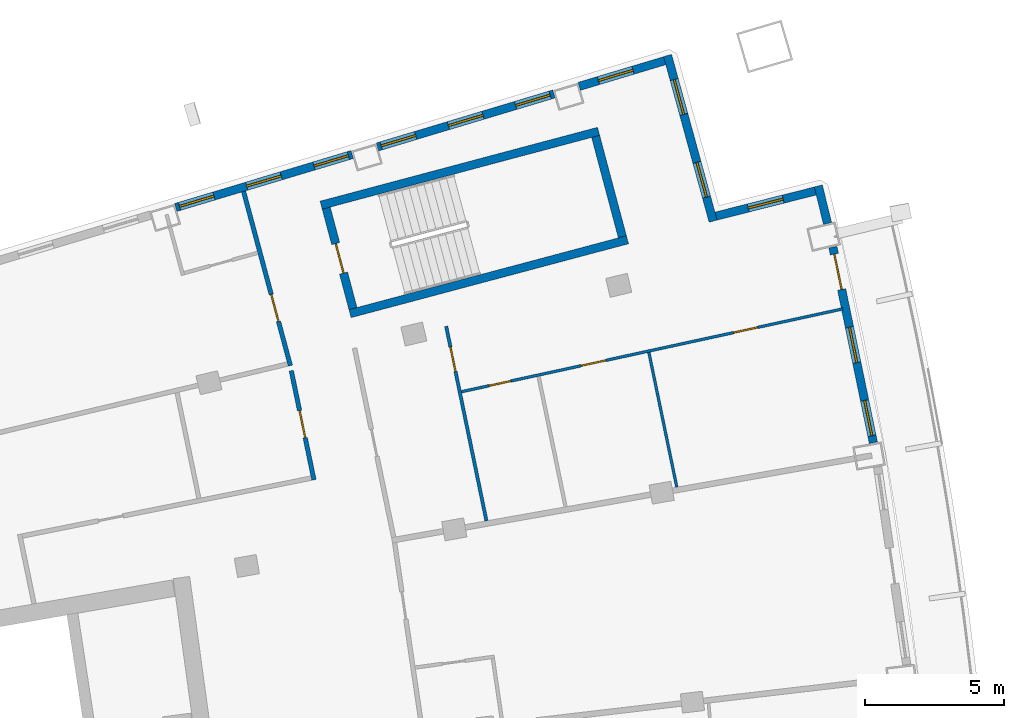
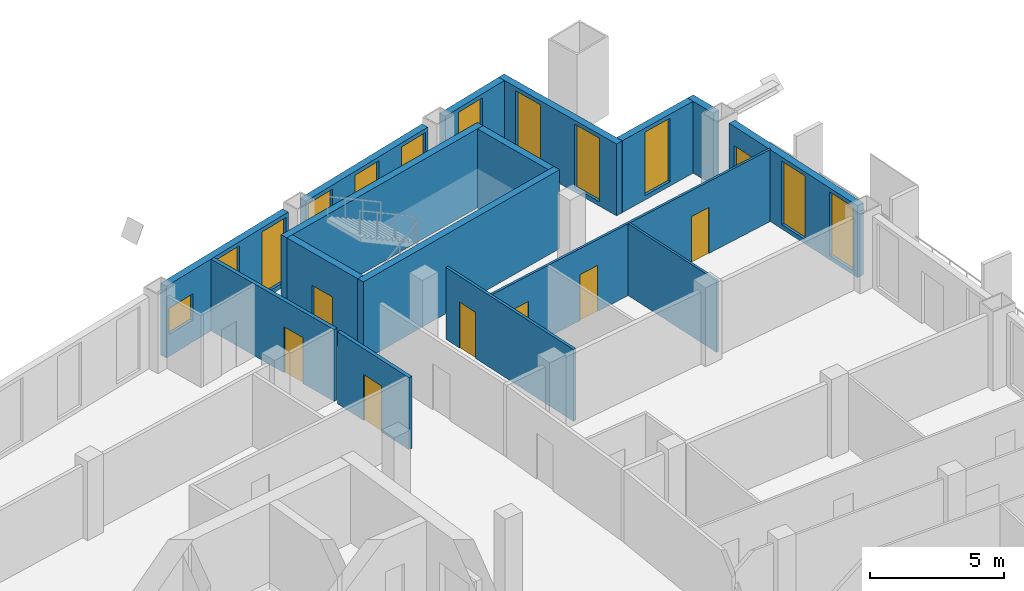
# One storey, part 15 of 19: 16 walls, 12 windows, 8 doors, 20 openings.
"""IFC4 building model written with IfcOpenShell, lengths in metres."""

from ifc_helpers import new_model, si_unit, direction, frame, frame_2d, origin, place, context, subcontext, project, spatial, rectangle, extrude, material, layer, layer_set, type_object, element, fill, save


model = new_model("IFC4")

# Units and contexts
model_context = context("Model", 3, precision=1e-05, world=origin(), true_north=direction((0.0, 1.0)))
body_context = subcontext(model_context, "Body", "Model", "MODEL_VIEW")
ifc_project = project(units=[si_unit("LENGTHUNIT", "METRE"), si_unit("AREAUNIT", "SQUARE_METRE"), si_unit("VOLUMEUNIT", "CUBIC_METRE"), si_unit("PLANEANGLEUNIT", "RADIAN"), si_unit("MASSUNIT", "GRAM", prefix="KILO")], contexts=[model_context])

# Site, building, storey
site_placement = place(None, origin())
site = spatial("IfcSite", under=ifc_project, at=site_placement, CompositionType="ELEMENT")
building_placement = place(site_placement, origin())
building = spatial("IfcBuilding", under=site, at=building_placement, Name="Alderwake Tower", CompositionType="ELEMENT")
storey_placement = place(building_placement, frame((0.0, 0.0, 196.39990234375)))
storey = spatial("IfcBuildingStorey", under=building, at=storey_placement, Name="L48", CompositionType="ELEMENT", Elevation=196.39990234375)

# Walls
ifc_material_1 = material(Name="Concrete C70/85", Category="concrete")
ifc_layer_1 = layer(ifc_material_1, 0.300048828125)
ifc_layer_set_1 = layer_set([ifc_layer_1], Name="Core wall stair enclosure 300 C70-85")
wall_type_1 = type_object("IfcWallType", Name="Core wall stair enclosure 300 C70-85", PredefinedType="SHEAR", material=ifc_layer_set_1)
for number, where, z_axis, x_axis, name in (
    (1, (36.71142578125, 94.182373046875, 0.0), (0.0, 0.0, 1.0), (0.966309214305, 0.257383958996, 0.0), "Core wall CW.082"),
    (2, (37.75390625, 90.268798828125, 0.0), (0.0, 0.0, 1.0), (0.966309214305, 0.257383958996, 0.0), "Core wall CW.084"),
):
    element("IfcWall", number, at=place(storey_placement, frame(where, z_axis=z_axis, x_axis=x_axis)), inside=storey, type_object=wall_type_1, Name=name, PredefinedType="SHEAR", context=body_context, shape_type="SweptSolid", body=[
        extrude(rectangle(XDim=10.360107421875, YDim=0.300048828125, at=frame_2d((5.18017578125, 0.0))), origin(), (0.0, 0.0, 1.0), 3.60009765625),
    ])

# Wall, opening, door
wall_1_placement = place(storey_placement, frame((37.8603515625, 90.452392578125, 0.0), z_axis=(0.0, 0.0, 1.0), x_axis=(-0.257411420208, 0.966301899381, 0.0)))
wall_1 = element("IfcWall", 3, at=wall_1_placement, inside=storey, type_object=wall_type_1, Name="Core wall CW.083", PredefinedType="SHEAR", context=body_context, shape_type="SweptSolid", body=[
    extrude(rectangle(XDim=3.750244140625, YDim=0.300048828125, at=frame_2d((1.875, 0.0))), origin(), (0.0, 0.0, 1.0), 3.60009765625),
])
opening_1_placement = place(wall_1_placement, frame((1.324951171875, 0.0, 0.0)))
opening_1 = element("IfcOpeningElement", 4, at=opening_1_placement, cuts=wall_1, Name="Opening C062", PredefinedType="OPENING", context=body_context, shape_type="SweptSolid", body=[
    extrude(rectangle(XDim=1.10009765625, YDim=2.10009765625, at=frame_2d((0.550048828125, 1.050048828125))), frame((0.0, 0.159912109375, 0.0), z_axis=(0.0, -1.0, 0.0), x_axis=(1.0, 0.0, 0.0)), (0.0, 0.0, 1.0), 0.320068359375),
])
ifc_material_2 = material(Name="Steel-framed fire door leaf", Category="steel")
door_type_1 = type_object("IfcDoorType", Name="Core stair door 1100 fire-rated", OperationType="SINGLE_SWING_LEFT", PredefinedType="DOOR", material=ifc_material_2)
door_1_placement = place(opening_1_placement, origin())
door_1 = element("IfcDoor", 5, at=door_1_placement, inside=storey, type_object=door_type_1, Name="Stair door", OperationType="SINGLE_SWING_LEFT", OverallHeight=2.10009765625, OverallWidth=1.10009765625, PredefinedType="DOOR", context=body_context, shape_type="SweptSolid", body=[
    extrude(rectangle(XDim=1.10009765625, YDim=2.10009765625, at=frame_2d((0.550048828125, 1.050048828125))), frame((0.0, 0.02490234375, 0.0), z_axis=(0.0, -1.0, 0.0), x_axis=(1.0, 0.0, 0.0)), (0.0, 0.0, 1.0), 0.050048828125),
])
fill(opening_1, door_1)

# Wall
wall_2_placement = place(storey_placement, frame((47.581298828125, 93.041748046875, 0.0), z_axis=(0.0, 0.0, 1.0), x_axis=(-0.257366821694, 0.966313778796, 0.0)))
element("IfcWall", 6, at=wall_2_placement, inside=storey, type_object=wall_type_1, Name="Core wall CW.081", PredefinedType="SHEAR", context=body_context, shape_type="SweptSolid", body=[
    extrude(rectangle(XDim=3.749755859375, YDim=0.300048828125, at=frame_2d((1.875, 0.0))), origin(), (0.0, 0.0, 1.0), 3.60009765625),
])

# Wall, opening, door
ifc_material_3 = material(Name="Gypsum board on metal studs, rated")
ifc_layer_2 = layer(ifc_material_3, 0.159912109375)
ifc_layer_set_2 = layer_set([ifc_layer_2], Name="Corridor wall 160")
wall_type_2 = type_object("IfcWallType", Name="Corridor wall 160", PredefinedType="PARTITIONING", material=ifc_layer_set_2)
wall_3_placement = place(storey_placement, frame((35.600830078125, 88.392578125, 0.0), z_axis=(0.0, 0.0, 1.0), x_axis=(-0.259509260101, 0.965740619381, 0.0)))
wall_3 = element("IfcWall", 7, at=wall_3_placement, inside=storey, type_object=wall_type_2, Name="WL/L48/W14", PredefinedType="PARTITIONING", context=body_context, shape_type="SweptSolid", body=[
    extrude(rectangle(XDim=6.50732421875, YDim=0.159912109375, at=frame_2d((3.253662109375, 0.0))), origin(), (0.0, 0.0, 1.0), 3.280029296875),
])
opening_2_placement = place(wall_3_placement, frame((1.65771484375, 0.0, 0.0)))
opening_2 = element("IfcOpeningElement", 8, at=opening_2_placement, cuts=wall_3, Name="Opening R13-U09.1", PredefinedType="OPENING", context=body_context, shape_type="SweptSolid", body=[
    extrude(rectangle(XDim=1.0, YDim=2.10009765625, at=frame_2d((0.5, 1.050048828125))), frame((0.0, 0.08984375, 0.0), z_axis=(0.0, -1.0, 0.0), x_axis=(1.0, 0.0, 0.0)), (0.0, 0.0, 1.0), 0.179931640625),
])
ifc_material_4 = material(Name="Solid timber leaf in steel frame", Category="steel")
door_type_2 = type_object("IfcDoorType", Name="Flat entrance door 1000 fire-rated", OperationType="SINGLE_SWING_LEFT", PredefinedType="DOOR", material=ifc_material_4)
door_2_placement = place(opening_2_placement, origin())
door_2 = element("IfcDoor", 9, at=door_2_placement, inside=storey, type_object=door_type_2, Name="DR/L48/U09.1", OperationType="SINGLE_SWING_LEFT", OverallHeight=2.10009765625, OverallWidth=1.0, PredefinedType="DOOR", context=body_context, shape_type="SweptSolid", body=[
    extrude(rectangle(XDim=1.0, YDim=2.10009765625, at=frame_2d((0.5, 1.050048828125))), frame((0.0, 0.02490234375, 0.0), z_axis=(0.0, -1.0, 0.0), x_axis=(1.0, 0.0, 0.0)), (0.0, 0.0, 1.0), 0.050048828125),
])
fill(opening_2, door_2)

wall_4_placement = place(storey_placement, frame((36.451416015625, 84.272705078125, 0.0), z_axis=(0.0, 0.0, 1.0), x_axis=(-0.203258199701, 0.979125172924, 0.0)))
wall_4 = element("IfcWall", 10, at=wall_4_placement, inside=storey, type_object=wall_type_2, Name="WL/L48/W17", PredefinedType="PARTITIONING", context=body_context, shape_type="SweptSolid", body=[
    extrude(rectangle(XDim=4.020263671875, YDim=0.159912109375, at=frame_2d((2.01025390625, 0.0))), origin(), (0.0, 0.0, 1.0), 3.280029296875),
])
opening_3_placement = place(wall_4_placement, frame((1.549560546875, 0.0, 0.0)))
opening_3 = element("IfcOpeningElement", 11, at=opening_3_placement, cuts=wall_4, Name="Opening R13-SBN2", PredefinedType="OPENING", context=body_context, shape_type="SweptSolid", body=[
    extrude(rectangle(XDim=1.0, YDim=2.10009765625, at=frame_2d((0.5, 1.050048828125))), frame((0.0, 0.08984375, 0.0), z_axis=(0.0, -1.0, 0.0), x_axis=(1.0, 0.0, 0.0)), (0.0, 0.0, 1.0), 0.179931640625),
])
ifc_material_5 = material(Name="Steel-framed fire door leaf", Category="steel")
door_type_3 = type_object("IfcDoorType", Name="Plant room door 1000 fire-rated", OperationType="SINGLE_SWING_LEFT", PredefinedType="DOOR", material=ifc_material_5)
door_3_placement = place(opening_3_placement, origin())
door_3 = element("IfcDoor", 12, at=door_3_placement, inside=storey, type_object=door_type_3, Name="DR/L48/SBN2", OperationType="SINGLE_SWING_LEFT", OverallHeight=2.10009765625, OverallWidth=1.0, PredefinedType="DOOR", context=body_context, shape_type="SweptSolid", body=[
    extrude(rectangle(XDim=1.0, YDim=2.10009765625, at=frame_2d((0.5, 1.050048828125))), frame((0.0, 0.02490234375, 0.0), z_axis=(0.0, -1.0, 0.0), x_axis=(1.0, 0.0, 0.0)), (0.0, 0.0, 1.0), 0.050048828125),
])
fill(opening_3, door_3)

# Wall, openings, door, windows
ifc_material_6 = material(Name="Precast concrete C50/60 spandrel panel", Category="concrete")
ifc_layer_3 = layer(ifc_material_6, 0.300048828125)
ifc_layer_set_3 = layer_set([ifc_layer_3], Name="External wall EW1 Precast concrete C50/60 spandrel")
wall_type_3 = type_object("IfcWallType", Name="External wall EW1 Precast concrete C50/60 spandrel", PredefinedType="SOLIDWALL", material=ifc_layer_set_3)
wall_5_placement = place(storey_placement, frame((56.638427734375, 85.613037109375, 0.0), z_axis=(0.0, 0.0, 1.0), x_axis=(-0.202740086823, 0.979232585852, 0.0)))
wall_5 = element("IfcWall", 13, at=wall_5_placement, inside=storey, type_object=wall_type_3, Name="External wall 19", PredefinedType="SOLIDWALL", context=body_context, shape_type="SweptSolid", body=[
    extrude(rectangle(XDim=7.20361328125, YDim=0.300048828125, at=frame_2d((3.601806640625, 0.0))), origin(), (0.0, 0.0, 1.0), 3.280029296875),
])
opening_4_placement = place(wall_5_placement, frame((0.257080078125, 0.0, 0.199951171875)))
opening_4 = element("IfcOpeningElement", 14, at=opening_4_placement, cuts=wall_5, Name="Opening W1", PredefinedType="OPENING", context=body_context, shape_type="SweptSolid", body=[
    extrude(rectangle(XDim=1.300048828125, YDim=2.89990234375, at=frame_2d((0.64990234375, 1.449951171875))), frame((0.0, 0.159912109375, 0.0), z_axis=(0.0, -1.0, 0.0), x_axis=(1.0, 0.0, 0.0)), (0.0, 0.0, 1.0), 0.320068359375),
])
opening_5_placement = place(wall_5_placement, frame((2.951904296875, 0.0, 0.199951171875)))
opening_5 = element("IfcOpeningElement", 15, at=opening_5_placement, cuts=wall_5, Name="Opening W1", PredefinedType="OPENING", context=body_context, shape_type="SweptSolid", body=[
    extrude(rectangle(XDim=1.300048828125, YDim=2.89990234375, at=frame_2d((0.64990234375, 1.449951171875))), frame((0.0, 0.159912109375, 0.0), z_axis=(0.0, -1.0, 0.0), x_axis=(1.0, 0.0, 0.0)), (0.0, 0.0, 1.0), 0.320068359375),
])
opening_6_placement = place(wall_5_placement, frame((5.646484375, 0.0, 0.0)))
opening_6 = element("IfcOpeningElement", 16, at=opening_6_placement, cuts=wall_5, Name="Opening D08", PredefinedType="OPENING", context=body_context, shape_type="SweptSolid", body=[
    extrude(rectangle(XDim=1.300048828125, YDim=2.39990234375, at=frame_2d((0.64990234375, 1.199951171875))), frame((0.0, 0.159912109375, 0.0), z_axis=(0.0, -1.0, 0.0), x_axis=(1.0, 0.0, 0.0)), (0.0, 0.0, 1.0), 0.320068359375),
])
ifc_material_7 = material(Name="Bronze tinted glass in aluminium frame", Category="aluminium")
door_type_4 = type_object("IfcDoorType", Name="Balcony door BD sliding", OperationType="SLIDING_TO_LEFT", PredefinedType="DOOR", material=ifc_material_7)
door_4_placement = place(opening_6_placement, origin())
door_4 = element("IfcDoor", 17, at=door_4_placement, inside=storey, type_object=door_type_4, Name="Door D08", OperationType="SLIDING_TO_LEFT", OverallHeight=2.39990234375, OverallWidth=1.300048828125, PredefinedType="DOOR", context=body_context, shape_type="SweptSolid", body=[
    extrude(rectangle(XDim=1.300048828125, YDim=2.39990234375, at=frame_2d((0.64990234375, 1.199951171875))), frame((0.0, 0.02490234375, 0.0), z_axis=(0.0, -1.0, 0.0), x_axis=(1.0, 0.0, 0.0)), (0.0, 0.0, 1.0), 0.050048828125),
])
fill(opening_6, door_4)
ifc_material_8 = material(Name="Bronze tinted glass in aluminium frame", Category="aluminium")
window_type_1 = type_object("IfcWindowType", Name="Window W1 tall fixed and vent", PartitioningType="DOUBLE_PANEL_VERTICAL", PredefinedType="WINDOW", material=ifc_material_8)
window_1_placement = place(opening_4_placement, origin())
window_1 = element("IfcWindow", 18, at=window_1_placement, inside=storey, type_object=window_type_1, Name="Window W1 tall fixed and vent", OverallHeight=2.89990234375, OverallWidth=1.300048828125, PartitioningType="DOUBLE_PANEL_VERTICAL", PredefinedType="WINDOW", context=body_context, shape_type="SweptSolid", body=[
    extrude(rectangle(XDim=1.300048828125, YDim=2.89990234375, at=frame_2d((0.64990234375, 1.449951171875))), frame((0.0, 0.030029296875, 0.0), z_axis=(0.0, -1.0, 0.0), x_axis=(1.0, 0.0, 0.0)), (0.0, 0.0, 1.0), 0.06005859375),
])
fill(opening_4, window_1)
window_2_placement = place(opening_5_placement, origin())
window_2 = element("IfcWindow", 19, at=window_2_placement, inside=storey, type_object=window_type_1, Name="Window W1 tall fixed and vent", OverallHeight=2.89990234375, OverallWidth=1.300048828125, PartitioningType="DOUBLE_PANEL_VERTICAL", PredefinedType="WINDOW", context=body_context, shape_type="SweptSolid", body=[
    extrude(rectangle(XDim=1.300048828125, YDim=2.89990234375, at=frame_2d((0.64990234375, 1.449951171875))), frame((0.0, 0.030029296875, 0.0), z_axis=(0.0, -1.0, 0.0), x_axis=(1.0, 0.0, 0.0)), (0.0, 0.0, 1.0), 0.06005859375),
])
fill(opening_5, window_2)

# Wall
wall_6_placement = place(storey_placement, frame((54.984619140625, 93.523193359375, 0.0), z_axis=(0.0, 0.0, 1.0), x_axis=(-0.238290079451, 0.971194026977, 0.0)))
element("IfcWall", 20, at=wall_6_placement, inside=storey, type_object=wall_type_3, Name="External wall 20", PredefinedType="SOLIDWALL", context=body_context, shape_type="SweptSolid", body=[
    extrude(rectangle(XDim=1.39453125, YDim=0.300048828125, at=frame_2d((0.697265625, 0.0))), origin(), (0.0, 0.0, 1.0), 3.280029296875),
])

# Wall, opening, window
ifc_material_9 = material(Name="Bronze metal cladding on lightweight framing")
ifc_layer_4 = layer(ifc_material_9, 0.300048828125)
ifc_layer_set_4 = layer_set([ifc_layer_4], Name="External wall EW2 bronze metal cladding")
wall_type_4 = type_object("IfcWallType", Name="External wall EW2 bronze metal cladding", PredefinedType="SOLIDWALL", material=ifc_layer_set_4)
wall_7_placement = place(storey_placement, frame((54.542724609375, 94.695068359375, 0.0), z_axis=(0.0, 0.0, 1.0), x_axis=(-0.96941119971, -0.245442306614, 0.0)))
wall_7 = element("IfcWall", 21, at=wall_7_placement, inside=storey, type_object=wall_type_4, Name="External wall 21", PredefinedType="SOLIDWALL", context=body_context, shape_type="SweptSolid", body=[
    extrude(rectangle(XDim=3.6943359375, YDim=0.300048828125, at=frame_2d((1.84716796875, 0.0))), origin(), (0.0, 0.0, 1.0), 3.280029296875),
])
opening_7_placement = place(wall_7_placement, frame((1.197021484375, 0.0, 0.199951171875)))
opening_7 = element("IfcOpeningElement", 22, at=opening_7_placement, cuts=wall_7, Name="Opening W1", PredefinedType="OPENING", context=body_context, shape_type="SweptSolid", body=[
    extrude(rectangle(XDim=1.300048828125, YDim=2.89990234375, at=frame_2d((0.64990234375, 1.449951171875))), frame((0.0, 0.159912109375, 0.0), z_axis=(0.0, -1.0, 0.0), x_axis=(1.0, 0.0, 0.0)), (0.0, 0.0, 1.0), 0.320068359375),
])
window_3_placement = place(opening_7_placement, origin())
window_3 = element("IfcWindow", 23, at=window_3_placement, inside=storey, type_object=window_type_1, Name="Window W1 tall fixed and vent", OverallHeight=2.89990234375, OverallWidth=1.300048828125, PartitioningType="DOUBLE_PANEL_VERTICAL", PredefinedType="WINDOW", context=body_context, shape_type="SweptSolid", body=[
    extrude(rectangle(XDim=1.300048828125, YDim=2.89990234375, at=frame_2d((0.64990234375, 1.449951171875))), frame((0.0, 0.030029296875, 0.0), z_axis=(0.0, -1.0, 0.0), x_axis=(1.0, 0.0, 0.0)), (0.0, 0.0, 1.0), 0.06005859375),
])
fill(opening_7, window_3)

# Wall, openings, windows
wall_8_placement = place(storey_placement, frame((50.855712890625, 93.60693359375, 0.0), z_axis=(0.0, 0.0, 1.0), x_axis=(-0.265079594789, 0.96422653377, 0.0)))
wall_8 = element("IfcWall", 24, at=wall_8_placement, inside=storey, type_object=wall_type_4, Name="External wall 22", PredefinedType="SOLIDWALL", context=body_context, shape_type="SweptSolid", body=[
    extrude(rectangle(XDim=6.19921875, YDim=0.300048828125, at=frame_2d((3.099609375, 0.0))), origin(), (0.0, 0.0, 1.0), 3.280029296875),
])
opening_8_placement = place(wall_8_placement, frame((0.89990234375, 0.0, 0.199951171875)))
opening_8 = element("IfcOpeningElement", 25, at=opening_8_placement, cuts=wall_8, Name="Opening W1", PredefinedType="OPENING", context=body_context, shape_type="SweptSolid", body=[
    extrude(rectangle(XDim=1.300048828125, YDim=2.89990234375, at=frame_2d((0.64990234375, 1.449951171875))), frame((0.0, 0.159912109375, 0.0), z_axis=(0.0, -1.0, 0.0), x_axis=(1.0, 0.0, 0.0)), (0.0, 0.0, 1.0), 0.320068359375),
])
opening_9_placement = place(wall_8_placement, frame((3.99951171875, 0.0, 0.199951171875)))
opening_9 = element("IfcOpeningElement", 26, at=opening_9_placement, cuts=wall_8, Name="Opening W1", PredefinedType="OPENING", context=body_context, shape_type="SweptSolid", body=[
    extrude(rectangle(XDim=1.300048828125, YDim=2.89990234375, at=frame_2d((0.64990234375, 1.449951171875))), frame((0.0, 0.159912109375, 0.0), z_axis=(0.0, -1.0, 0.0), x_axis=(1.0, 0.0, 0.0)), (0.0, 0.0, 1.0), 0.320068359375),
])
window_4_placement = place(opening_8_placement, origin())
window_4 = element("IfcWindow", 27, at=window_4_placement, inside=storey, type_object=window_type_1, Name="Window W1 tall fixed and vent", OverallHeight=2.89990234375, OverallWidth=1.300048828125, PartitioningType="DOUBLE_PANEL_VERTICAL", PredefinedType="WINDOW", context=body_context, shape_type="SweptSolid", body=[
    extrude(rectangle(XDim=1.300048828125, YDim=2.89990234375, at=frame_2d((0.64990234375, 1.449951171875))), frame((0.0, 0.030029296875, 0.0), z_axis=(0.0, -1.0, 0.0), x_axis=(1.0, 0.0, 0.0)), (0.0, 0.0, 1.0), 0.06005859375),
])
fill(opening_8, window_4)
window_5_placement = place(opening_9_placement, origin())
window_5 = element("IfcWindow", 28, at=window_5_placement, inside=storey, type_object=window_type_1, Name="Window W1 tall fixed and vent", OverallHeight=2.89990234375, OverallWidth=1.300048828125, PartitioningType="DOUBLE_PANEL_VERTICAL", PredefinedType="WINDOW", context=body_context, shape_type="SweptSolid", body=[
    extrude(rectangle(XDim=1.300048828125, YDim=2.89990234375, at=frame_2d((0.64990234375, 1.449951171875))), frame((0.0, 0.030029296875, 0.0), z_axis=(0.0, -1.0, 0.0), x_axis=(1.0, 0.0, 0.0)), (0.0, 0.0, 1.0), 0.06005859375),
])
fill(opening_9, window_5)

# Wall, opening, window
wall_9_placement = place(storey_placement, frame((49.1083984375, 99.396728515625, 0.0), z_axis=(0.0, 0.0, 1.0), x_axis=(-0.957765770584, -0.287549523906, 0.0)))
wall_9 = element("IfcWall", 29, at=wall_9_placement, inside=storey, type_object=wall_type_4, Name="External wall 23", PredefinedType="SOLIDWALL", context=body_context, shape_type="SweptSolid", body=[
    extrude(rectangle(XDim=3.22119140625, YDim=0.300048828125, at=frame_2d((1.610595703125, 0.0))), origin(), (0.0, 0.0, 1.0), 3.280029296875),
])
opening_10_placement = place(wall_9_placement, frame((1.198974609375, 0.0, 0.199951171875)))
opening_10 = element("IfcOpeningElement", 30, at=opening_10_placement, cuts=wall_9, Name="Opening W1", PredefinedType="OPENING", context=body_context, shape_type="SweptSolid", body=[
    extrude(rectangle(XDim=1.300048828125, YDim=2.89990234375, at=frame_2d((0.64990234375, 1.449951171875))), frame((0.0, 0.159912109375, 0.0), z_axis=(0.0, -1.0, 0.0), x_axis=(1.0, 0.0, 0.0)), (0.0, 0.0, 1.0), 0.320068359375),
])
window_6_placement = place(opening_10_placement, origin())
window_6 = element("IfcWindow", 31, at=window_6_placement, inside=storey, type_object=window_type_1, Name="Window W1 tall fixed and vent", OverallHeight=2.89990234375, OverallWidth=1.300048828125, PartitioningType="DOUBLE_PANEL_VERTICAL", PredefinedType="WINDOW", context=body_context, shape_type="SweptSolid", body=[
    extrude(rectangle(XDim=1.300048828125, YDim=2.89990234375, at=frame_2d((0.64990234375, 1.449951171875))), frame((0.0, 0.030029296875, 0.0), z_axis=(0.0, -1.0, 0.0), x_axis=(1.0, 0.0, 0.0)), (0.0, 0.0, 1.0), 0.06005859375),
])
fill(opening_10, window_6)

# Wall, openings, windows
wall_10_placement = place(storey_placement, frame((45.110107421875, 98.1962890625, 0.0), z_axis=(0.0, 0.0, 1.0), x_axis=(-0.957757511153, -0.287577032861, 0.0)))
wall_10 = element("IfcWall", 32, at=wall_10_placement, inside=storey, type_object=wall_type_4, Name="External wall 24", PredefinedType="SOLIDWALL", context=body_context, shape_type="SweptSolid", body=[
    extrude(rectangle(XDim=6.646484375, YDim=0.300048828125, at=frame_2d((3.3232421875, 0.0))), origin(), (0.0, 0.0, 1.0), 3.280029296875),
])
opening_11_placement = place(wall_10_placement, frame((0.139892578125, 0.0, 0.199951171875)))
opening_11 = element("IfcOpeningElement", 33, at=opening_11_placement, cuts=wall_10, Name="Opening W1", PredefinedType="OPENING", context=body_context, shape_type="SweptSolid", body=[
    extrude(rectangle(XDim=1.300048828125, YDim=2.89990234375, at=frame_2d((0.64990234375, 1.449951171875))), frame((0.0, 0.159912109375, 0.0), z_axis=(0.0, -1.0, 0.0), x_axis=(1.0, 0.0, 0.0)), (0.0, 0.0, 1.0), 0.320068359375),
])
opening_12_placement = place(wall_10_placement, frame((2.67333984375, 0.0, 0.199951171875)))
opening_12 = element("IfcOpeningElement", 34, at=opening_12_placement, cuts=wall_10, Name="Opening W1", PredefinedType="OPENING", context=body_context, shape_type="SweptSolid", body=[
    extrude(rectangle(XDim=1.300048828125, YDim=2.89990234375, at=frame_2d((0.64990234375, 1.449951171875))), frame((0.0, 0.159912109375, 0.0), z_axis=(0.0, -1.0, 0.0), x_axis=(1.0, 0.0, 0.0)), (0.0, 0.0, 1.0), 0.320068359375),
])
opening_13_placement = place(wall_10_placement, frame((5.206787109375, 0.0, 0.199951171875)))
opening_13 = element("IfcOpeningElement", 35, at=opening_13_placement, cuts=wall_10, Name="Opening W1", PredefinedType="OPENING", context=body_context, shape_type="SweptSolid", body=[
    extrude(rectangle(XDim=1.300048828125, YDim=2.89990234375, at=frame_2d((0.64990234375, 1.449951171875))), frame((0.0, 0.159912109375, 0.0), z_axis=(0.0, -1.0, 0.0), x_axis=(1.0, 0.0, 0.0)), (0.0, 0.0, 1.0), 0.320068359375),
])
window_7_placement = place(opening_11_placement, origin())
window_7 = element("IfcWindow", 36, at=window_7_placement, inside=storey, type_object=window_type_1, Name="Window W1 tall fixed and vent", OverallHeight=2.89990234375, OverallWidth=1.300048828125, PartitioningType="DOUBLE_PANEL_VERTICAL", PredefinedType="WINDOW", context=body_context, shape_type="SweptSolid", body=[
    extrude(rectangle(XDim=1.300048828125, YDim=2.89990234375, at=frame_2d((0.64990234375, 1.449951171875))), frame((0.0, 0.030029296875, 0.0), z_axis=(0.0, -1.0, 0.0), x_axis=(1.0, 0.0, 0.0)), (0.0, 0.0, 1.0), 0.06005859375),
])
fill(opening_11, window_7)
window_8_placement = place(opening_12_placement, origin())
window_8 = element("IfcWindow", 37, at=window_8_placement, inside=storey, type_object=window_type_1, Name="Window W1 tall fixed and vent", OverallHeight=2.89990234375, OverallWidth=1.300048828125, PartitioningType="DOUBLE_PANEL_VERTICAL", PredefinedType="WINDOW", context=body_context, shape_type="SweptSolid", body=[
    extrude(rectangle(XDim=1.300048828125, YDim=2.89990234375, at=frame_2d((0.64990234375, 1.449951171875))), frame((0.0, 0.030029296875, 0.0), z_axis=(0.0, -1.0, 0.0), x_axis=(1.0, 0.0, 0.0)), (0.0, 0.0, 1.0), 0.06005859375),
])
fill(opening_12, window_8)
window_9_placement = place(opening_13_placement, origin())
window_9 = element("IfcWindow", 38, at=window_9_placement, inside=storey, type_object=window_type_1, Name="Window W1 tall fixed and vent", OverallHeight=2.89990234375, OverallWidth=1.300048828125, PartitioningType="DOUBLE_PANEL_VERTICAL", PredefinedType="WINDOW", context=body_context, shape_type="SweptSolid", body=[
    extrude(rectangle(XDim=1.300048828125, YDim=2.89990234375, at=frame_2d((0.64990234375, 1.449951171875))), frame((0.0, 0.030029296875, 0.0), z_axis=(0.0, -1.0, 0.0), x_axis=(1.0, 0.0, 0.0)), (0.0, 0.0, 1.0), 0.06005859375),
])
fill(opening_13, window_9)

wall_11_placement = place(storey_placement, frame((37.830810546875, 96.0107421875, 0.0), z_axis=(0.0, 0.0, 1.0), x_axis=(-0.957767627806, -0.287543337825, 0.0)))
wall_11 = element("IfcWall", 39, at=wall_11_placement, inside=storey, type_object=wall_type_4, Name="External wall 25", PredefinedType="SOLIDWALL", context=body_context, shape_type="SweptSolid", body=[
    extrude(rectangle(XDim=6.646484375, YDim=0.300048828125, at=frame_2d((3.3232421875, 0.0))), origin(), (0.0, 0.0, 1.0), 3.280029296875),
])
opening_14_placement = place(wall_11_placement, frame((0.139892578125, 0.0, 0.199951171875)))
opening_14 = element("IfcOpeningElement", 40, at=opening_14_placement, cuts=wall_11, Name="Opening W1", PredefinedType="OPENING", context=body_context, shape_type="SweptSolid", body=[
    extrude(rectangle(XDim=1.300048828125, YDim=2.89990234375, at=frame_2d((0.64990234375, 1.449951171875))), frame((0.0, 0.159912109375, 0.0), z_axis=(0.0, -1.0, 0.0), x_axis=(1.0, 0.0, 0.0)), (0.0, 0.0, 1.0), 0.320068359375),
])
opening_15_placement = place(wall_11_placement, frame((2.67333984375, 0.0, 0.199951171875)))
opening_15 = element("IfcOpeningElement", 41, at=opening_15_placement, cuts=wall_11, Name="Opening W1", PredefinedType="OPENING", context=body_context, shape_type="SweptSolid", body=[
    extrude(rectangle(XDim=1.300048828125, YDim=2.89990234375, at=frame_2d((0.64990234375, 1.449951171875))), frame((0.0, 0.159912109375, 0.0), z_axis=(0.0, -1.0, 0.0), x_axis=(1.0, 0.0, 0.0)), (0.0, 0.0, 1.0), 0.320068359375),
])
opening_16_placement = place(wall_11_placement, frame((5.206787109375, 0.0, 1.0)))
opening_16 = element("IfcOpeningElement", 42, at=opening_16_placement, cuts=wall_11, Name="Opening W2", PredefinedType="OPENING", context=body_context, shape_type="SweptSolid", body=[
    extrude(rectangle(XDim=1.300048828125, YDim=1.199951171875, at=frame_2d((0.64990234375, 0.60009765625))), frame((0.0, 0.159912109375, 0.0), z_axis=(0.0, -1.0, 0.0), x_axis=(1.0, 0.0, 0.0)), (0.0, 0.0, 1.0), 0.320068359375),
])
window_10_placement = place(opening_14_placement, origin())
window_10 = element("IfcWindow", 43, at=window_10_placement, inside=storey, type_object=window_type_1, Name="Window W1 tall fixed and vent", OverallHeight=2.89990234375, OverallWidth=1.300048828125, PartitioningType="DOUBLE_PANEL_VERTICAL", PredefinedType="WINDOW", context=body_context, shape_type="SweptSolid", body=[
    extrude(rectangle(XDim=1.300048828125, YDim=2.89990234375, at=frame_2d((0.64990234375, 1.449951171875))), frame((0.0, 0.030029296875, 0.0), z_axis=(0.0, -1.0, 0.0), x_axis=(1.0, 0.0, 0.0)), (0.0, 0.0, 1.0), 0.06005859375),
])
fill(opening_14, window_10)
window_11_placement = place(opening_15_placement, origin())
window_11 = element("IfcWindow", 44, at=window_11_placement, inside=storey, type_object=window_type_1, Name="Window W1 tall fixed and vent", OverallHeight=2.89990234375, OverallWidth=1.300048828125, PartitioningType="DOUBLE_PANEL_VERTICAL", PredefinedType="WINDOW", context=body_context, shape_type="SweptSolid", body=[
    extrude(rectangle(XDim=1.300048828125, YDim=2.89990234375, at=frame_2d((0.64990234375, 1.449951171875))), frame((0.0, 0.030029296875, 0.0), z_axis=(0.0, -1.0, 0.0), x_axis=(1.0, 0.0, 0.0)), (0.0, 0.0, 1.0), 0.06005859375),
])
fill(opening_15, window_11)
ifc_material_10 = material(Name="Bronze tinted glass in aluminium frame", Category="aluminium")
window_type_2 = type_object("IfcWindowType", Name="Window W2 kitchen and bath", PartitioningType="SINGLE_PANEL", PredefinedType="WINDOW", material=ifc_material_10)
window_12_placement = place(opening_16_placement, origin())
window_12 = element("IfcWindow", 45, at=window_12_placement, inside=storey, type_object=window_type_2, Name="Window W2 kitchen and bath", OverallHeight=1.199951171875, OverallWidth=1.300048828125, PartitioningType="SINGLE_PANEL", PredefinedType="WINDOW", context=body_context, shape_type="SweptSolid", body=[
    extrude(rectangle(XDim=1.300048828125, YDim=1.199951171875, at=frame_2d((0.64990234375, 0.60009765625))), frame((0.0, 0.030029296875, 0.0), z_axis=(0.0, -1.0, 0.0), x_axis=(1.0, 0.0, 0.0)), (0.0, 0.0, 1.0), 0.06005859375),
])
fill(opening_16, window_12)

# Wall, openings, doors
ifc_material_11 = material(Name="Gypsum board on metal studs")
ifc_layer_5 = layer(ifc_material_11, 0.10009765625)
ifc_layer_set_5 = layer_set([ifc_layer_5], Name="Unit partition 100")
wall_type_5 = type_object("IfcWallType", Name="Unit partition 100", PredefinedType="PARTITIONING", material=ifc_layer_set_5)
wall_12_placement = place(storey_placement, frame((55.535888671875, 90.44091796875, 0.0), z_axis=(0.0, 0.0, 1.0), x_axis=(-0.977199201012, -0.212324566507, 0.0)))
wall_12 = element("IfcWall", 46, at=wall_12_placement, inside=storey, type_object=wall_type_5, Name="WL/L48/W48", PredefinedType="PARTITIONING", context=body_context, shape_type="SweptSolid", body=[
    extrude(rectangle(XDim=14.083251953125, YDim=0.10009765625, at=frame_2d((7.04150390625, 0.0))), origin(), (0.0, 0.0, 1.0), 3.280029296875),
])
opening_17_placement = place(wall_12_placement, frame((8.757568359375, 0.0, 0.0)))
opening_17 = element("IfcOpeningElement", 47, at=opening_17_placement, cuts=wall_12, Name="Opening R13-U07.1", PredefinedType="OPENING", context=body_context, shape_type="SweptSolid", body=[
    extrude(rectangle(XDim=0.89990234375, YDim=2.10009765625, at=frame_2d((0.449951171875, 1.050048828125))), frame((0.0, 0.06005859375, 0.0), z_axis=(0.0, -1.0, 0.0), x_axis=(1.0, 0.0, 0.0)), (0.0, 0.0, 1.0), 0.1201171875),
])
opening_18_placement = place(wall_12_placement, frame((12.26416015625, 0.0, 0.0)))
opening_18 = element("IfcOpeningElement", 48, at=opening_18_placement, cuts=wall_12, Name="Opening R13-U07.4", PredefinedType="OPENING", context=body_context, shape_type="SweptSolid", body=[
    extrude(rectangle(XDim=0.800048828125, YDim=2.10009765625, at=frame_2d((0.39990234375, 1.050048828125))), frame((0.0, 0.06005859375, 0.0), z_axis=(0.0, -1.0, 0.0), x_axis=(1.0, 0.0, 0.0)), (0.0, 0.0, 1.0), 0.1201171875),
])
opening_19_placement = place(wall_12_placement, frame((3.135009765625, 0.0, 0.0)))
opening_19 = element("IfcOpeningElement", 49, at=opening_19_placement, cuts=wall_12, Name="Opening R13-U07.5", PredefinedType="OPENING", context=body_context, shape_type="SweptSolid", body=[
    extrude(rectangle(XDim=0.89990234375, YDim=2.10009765625, at=frame_2d((0.449951171875, 1.050048828125))), frame((0.0, 0.06005859375, 0.0), z_axis=(0.0, -1.0, 0.0), x_axis=(1.0, 0.0, 0.0)), (0.0, 0.0, 1.0), 0.1201171875),
])
ifc_material_12 = material(Name="Painted timber leaf", Category="wood")
door_type_5 = type_object("IfcDoorType", Name="Bathroom door 800", OperationType="SINGLE_SWING_LEFT", PredefinedType="DOOR", material=ifc_material_12)
door_5_placement = place(opening_18_placement, origin())
door_5 = element("IfcDoor", 50, at=door_5_placement, inside=storey, type_object=door_type_5, Name="DR/L48/U07.4", OperationType="SINGLE_SWING_LEFT", OverallHeight=2.10009765625, OverallWidth=0.800048828125, PredefinedType="DOOR", context=body_context, shape_type="SweptSolid", body=[
    extrude(rectangle(XDim=0.800048828125, YDim=2.10009765625, at=frame_2d((0.39990234375, 1.050048828125))), frame((0.0, 0.02490234375, 0.0), z_axis=(0.0, -1.0, 0.0), x_axis=(1.0, 0.0, 0.0)), (0.0, 0.0, 1.0), 0.050048828125),
])
fill(opening_18, door_5)
ifc_material_13 = material(Name="Painted timber leaf", Category="wood")
door_type_6 = type_object("IfcDoorType", Name="Room door 900", OperationType="SINGLE_SWING_LEFT", PredefinedType="DOOR", material=ifc_material_13)
door_6_placement = place(opening_17_placement, origin())
door_6 = element("IfcDoor", 51, at=door_6_placement, inside=storey, type_object=door_type_6, Name="DR/L48/U07.1", OperationType="SINGLE_SWING_LEFT", OverallHeight=2.10009765625, OverallWidth=0.89990234375, PredefinedType="DOOR", context=body_context, shape_type="SweptSolid", body=[
    extrude(rectangle(XDim=0.89990234375, YDim=2.10009765625, at=frame_2d((0.449951171875, 1.050048828125))), frame((0.0, 0.02490234375, 0.0), z_axis=(0.0, -1.0, 0.0), x_axis=(1.0, 0.0, 0.0)), (0.0, 0.0, 1.0), 0.050048828125),
])
fill(opening_17, door_6)
door_7_placement = place(opening_19_placement, origin())
door_7 = element("IfcDoor", 52, at=door_7_placement, inside=storey, type_object=door_type_6, Name="DR/L48/U07.5", OperationType="SINGLE_SWING_LEFT", OverallHeight=2.10009765625, OverallWidth=0.89990234375, PredefinedType="DOOR", context=body_context, shape_type="SweptSolid", body=[
    extrude(rectangle(XDim=0.89990234375, YDim=2.10009765625, at=frame_2d((0.449951171875, 1.050048828125))), frame((0.0, 0.02490234375, 0.0), z_axis=(0.0, -1.0, 0.0), x_axis=(1.0, 0.0, 0.0)), (0.0, 0.0, 1.0), 0.050048828125),
])
fill(opening_19, door_7)

# Wall
wall_13_placement = place(storey_placement, frame((49.545654296875, 84.008056640625, 0.0), z_axis=(0.0, 0.0, 1.0), x_axis=(-0.203007352499, 0.97917721319, 0.0)))
element("IfcWall", 53, at=wall_13_placement, inside=storey, type_object=wall_type_5, Name="WL/L48/W50", PredefinedType="PARTITIONING", context=body_context, shape_type="SweptSolid", body=[
    extrude(rectangle(XDim=4.963134765625, YDim=0.10009765625, at=frame_2d((2.4814453125, 0.0))), origin(), (0.0, 0.0, 1.0), 3.280029296875),
])

# Wall, opening, door
ifc_material_14 = material(Name="Moisture resistant gypsum board on metal studs")
ifc_layer_6 = layer(ifc_material_14, 0.1201171875)
ifc_layer_set_6 = layer_set([ifc_layer_6], Name="Wet room partition 120")
wall_type_6 = type_object("IfcWallType", Name="Wet room partition 120", PredefinedType="PARTITIONING", material=ifc_layer_set_6)
wall_14_placement = place(storey_placement, frame((41.222900390625, 89.81103515625, 0.0), z_axis=(0.0, 0.0, 1.0), x_axis=(0.20272162606, -0.979236407783, 0.0)))
wall_14 = element("IfcWall", 54, at=wall_14_placement, inside=storey, type_object=wall_type_6, Name="WL/L48/W35", PredefinedType="PARTITIONING", context=body_context, shape_type="SweptSolid", body=[
    extrude(rectangle(XDim=7.1669921875, YDim=0.1201171875, at=frame_2d((3.58349609375, 0.0))), origin(), (0.0, 0.0, 1.0), 3.280029296875),
])
opening_20_placement = place(wall_14_placement, frame((0.76220703125, 0.0, 0.0)))
opening_20 = element("IfcOpeningElement", 55, at=opening_20_placement, cuts=wall_14, Name="Opening R13-U07.3", PredefinedType="OPENING", context=body_context, shape_type="SweptSolid", body=[
    extrude(rectangle(XDim=0.89990234375, YDim=2.10009765625, at=frame_2d((0.449951171875, 1.050048828125))), frame((0.0, 0.070068359375, 0.0), z_axis=(0.0, -1.0, 0.0), x_axis=(1.0, 0.0, 0.0)), (0.0, 0.0, 1.0), 0.14013671875),
])
door_8_placement = place(opening_20_placement, origin())
door_8 = element("IfcDoor", 56, at=door_8_placement, inside=storey, type_object=door_type_6, Name="DR/L48/U07.3", OperationType="SINGLE_SWING_LEFT", OverallHeight=2.10009765625, OverallWidth=0.89990234375, PredefinedType="DOOR", context=body_context, shape_type="SweptSolid", body=[
    extrude(rectangle(XDim=0.89990234375, YDim=2.10009765625, at=frame_2d((0.449951171875, 1.050048828125))), frame((0.0, 0.02490234375, 0.0), z_axis=(0.0, -1.0, 0.0), x_axis=(1.0, 0.0, 0.0)), (0.0, 0.0, 1.0), 0.050048828125),
])
fill(opening_20, door_8)

save(model, "model.ifc")
